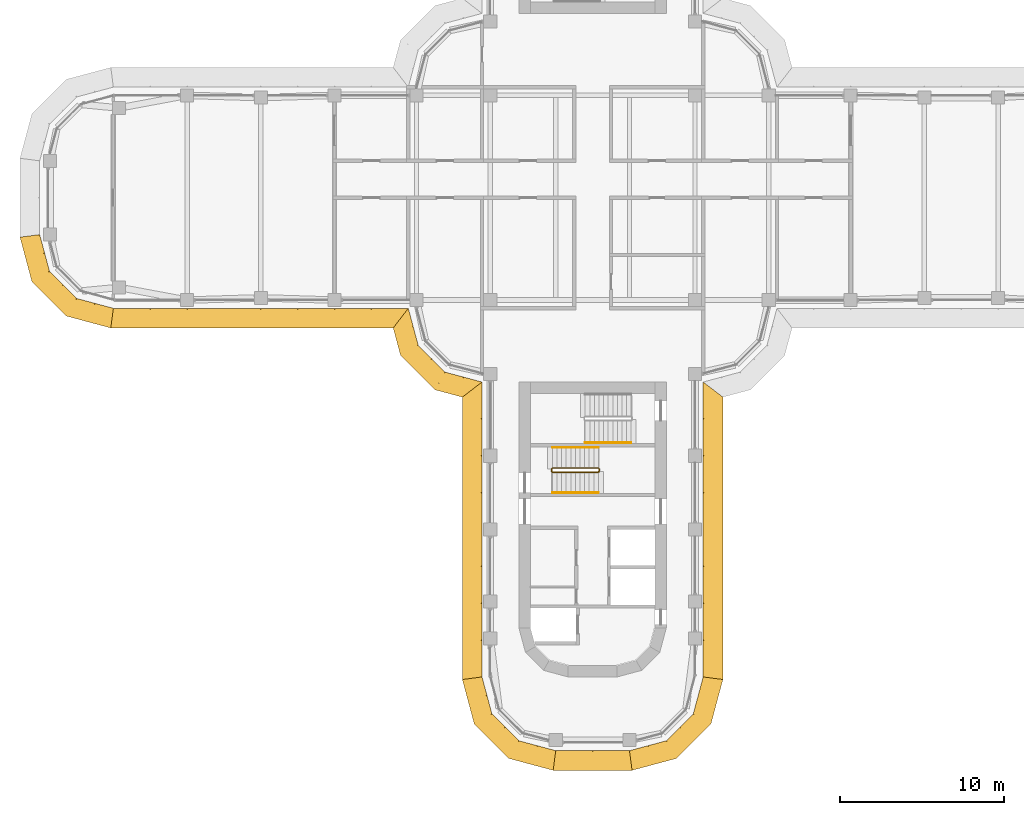
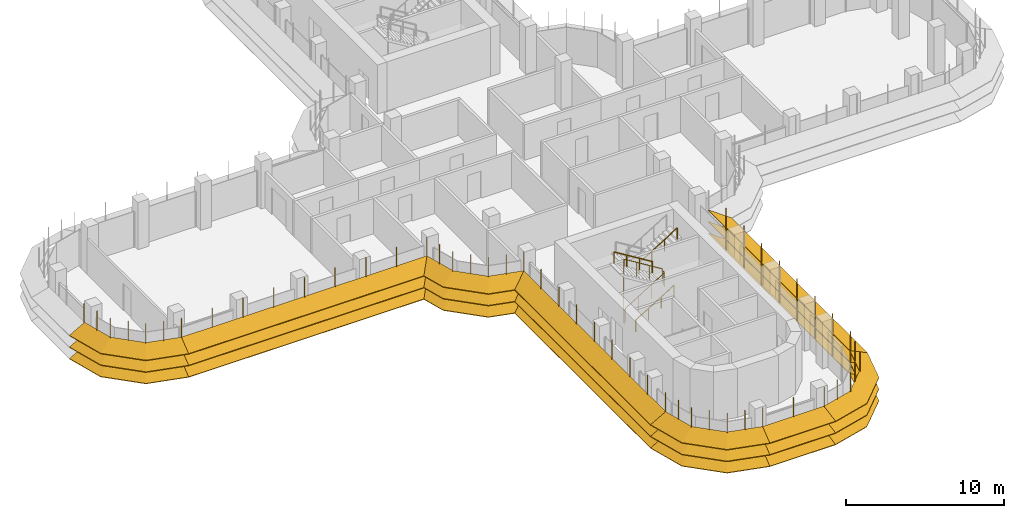
# One storey, part 17 of 20: 8 shading devices, 4 railings.
"""IFC4 building model written with IfcOpenShell, lengths in metres."""

from ifc_helpers import new_model, si_unit, direction, frame, origin, origin_2d, place, context, subcontext, project, spatial, polyline, circle, outline, extrude, faceted_brep, source, transform, mapped, material, type_object, element, save


model = new_model("IFC4")

# Units and contexts
model_context = context("Model", 3, precision=1e-05, world=origin(), true_north=direction((0.0, 1.0)))
body_context = subcontext(model_context, "Body", "Model", "MODEL_VIEW")
ifc_project = project(units=[si_unit("LENGTHUNIT", "METRE"), si_unit("AREAUNIT", "SQUARE_METRE"), si_unit("VOLUMEUNIT", "CUBIC_METRE"), si_unit("PLANEANGLEUNIT", "RADIAN"), si_unit("MASSUNIT", "GRAM", prefix="KILO")], contexts=[model_context])

# Site, building, storey
site_placement = place(None, origin())
site = spatial("IfcSite", under=ifc_project, at=site_placement, CompositionType="ELEMENT")
building_placement = place(site_placement, origin())
building = spatial("IfcBuilding", under=site, at=building_placement, Name="Zarbagh Exchange Tower", CompositionType="ELEMENT")
storey_placement = place(building_placement, frame((0.0, 0.0, 148.60009765625)))
storey = spatial("IfcBuildingStorey", under=building, at=storey_placement, Name="L35", CompositionType="ELEMENT", Elevation=148.60009765625)

# Railings
ifc_material_1 = material(Name="Stainless steel", Category="steel")
railing_type_1 = type_object("IfcRailingType", Name="Stair guard 1100 mm", PredefinedType="GUARDRAIL", material=ifc_material_1)
railing_1_placement = place(storey_placement, frame((0.35009765625, -16.5, 2.072509765625)))
element("IfcRailing", 1, at=railing_1_placement, inside=storey, type_object=railing_type_1, Name="ST3 stair guard 1", PredefinedType="GUARDRAIL", context=body_context, shape_type="SweptSolid", body=[
    extrude(circle(Radius=0.02392578125, at=origin_2d()), frame((0.0, 0.0, 1.076171875), z_axis=(-0.851089632645, 0.0, 0.525020415988), x_axis=(0.0, -1.0, 0.0)), (0.0, 0.0, 1.0), 3.2900390625),
    extrude(circle(Radius=0.02392578125, at=origin_2d()), frame((-2.800048828125, 0.0, 2.80322265625), z_axis=(-0.013169136761, -0.013169136761, -0.999826558796), x_axis=(0.707106781187, -0.707106781187, 0.0)), (0.0, 0.0, 1.0), 3.800537109375),
    extrude(circle(Radius=0.02392578125, at=origin_2d()), frame((-2.85009765625, -0.050048828125, -0.99658203125), z_axis=(0.0, -1.0, 0.0), x_axis=(1.0, 0.0, 0.0)), (0.0, 0.0, 1.0), 0.14990234375),
    extrude(circle(Radius=0.02392578125, at=origin_2d()), frame((-2.85009765625, -0.199951171875, -0.99658203125), z_axis=(0.268277960024, -0.268277960024, 0.925231793839), x_axis=(0.707106781187, 0.707106781187, 0.0)), (0.0, 0.0, 1.0), 0.1865234375),
    extrude(circle(Radius=0.02392578125, at=origin_2d()), frame((-2.800048828125, -0.25, -0.82373046875), z_axis=(0.851089632645, 0.0, 0.525020415988), x_axis=(0.0, 1.0, 0.0)), (0.0, 0.0, 1.0), 3.2900390625),
    extrude(circle(Radius=0.02392578125, at=origin_2d()), frame((0.0, -0.25, 0.9033203125), z_axis=(0.705375805398, 0.708833529934, 0.0), x_axis=(-0.708833529934, 0.705375805398, 0.0)), (0.0, 0.0, 1.0), 0.070556640625),
    extrude(circle(Radius=0.02392578125, at=origin_2d()), frame((0.0498046875, -0.199951171875, 0.9033203125), z_axis=(0.0, 1.0, 0.0), x_axis=(-1.0, 0.0, 0.0)), (0.0, 0.0, 1.0), 0.14990234375),
    extrude(circle(Radius=0.02099609375, at=origin_2d()), origin(), (0.0, 0.0, 1.0), 1.052001953125),
    extrude(circle(Radius=0.02099609375, at=origin_2d()), frame((-0.933349609375, 0.0, 0.57568359375)), (0.0, 0.0, 1.0), 1.052001953125),
    extrude(circle(Radius=0.02099609375, at=origin_2d()), frame((-1.86669921875, 0.0, 1.151611328125)), (0.0, 0.0, 1.0), 1.052001953125),
    extrude(circle(Radius=0.02099609375, at=origin_2d()), frame((-2.800048828125, 0.0, 1.727294921875)), (0.0, 0.0, 1.0), 1.052001953125),
    extrude(circle(Radius=0.02099609375, at=origin_2d()), frame((-2.8125, -0.012451171875, 0.77734375)), (0.0, 0.0, 1.0), 1.052001953125),
    extrude(circle(Radius=0.02099609375, at=origin_2d()), frame((-2.8251953125, -0.02490234375, -0.172607421875)), (0.0, 0.0, 1.0), 1.052001953125),
    extrude(circle(Radius=0.02099609375, at=origin_2d()), frame((-2.837646484375, -0.03759765625, -1.12255859375)), (0.0, 0.0, 1.0), 1.052001953125),
    extrude(circle(Radius=0.02099609375, at=origin_2d()), frame((-2.85009765625, -0.050048828125, -2.072509765625)), (0.0, 0.0, 1.0), 1.052001953125),
    extrude(circle(Radius=0.02099609375, at=origin_2d()), frame((-2.85009765625, -0.199951171875, -2.072509765625)), (0.0, 0.0, 1.0), 1.052001953125),
    extrude(circle(Radius=0.02099609375, at=origin_2d()), frame((-2.800048828125, -0.25, -1.89990234375)), (0.0, 0.0, 1.0), 1.052001953125),
    extrude(circle(Radius=0.02099609375, at=origin_2d()), frame((-1.86669921875, -0.25, -1.32421875)), (0.0, 0.0, 1.0), 1.052001953125),
    extrude(circle(Radius=0.02099609375, at=origin_2d()), frame((-0.933349609375, -0.25, -0.748291015625)), (0.0, 0.0, 1.0), 1.052001953125),
    extrude(circle(Radius=0.02099609375, at=origin_2d()), frame((0.0, -0.25, -0.172607421875)), (0.0, 0.0, 1.0), 1.052001953125),
    extrude(circle(Radius=0.02099609375, at=origin_2d()), frame((0.0498046875, -0.199951171875, -0.172607421875)), (0.0, 0.0, 1.0), 1.052001953125),
    extrude(circle(Radius=0.02099609375, at=origin_2d()), frame((0.0498046875, -0.050048828125, -0.172607421875)), (0.0, 0.0, 1.0), 1.052001953125),
])
railing_type_2 = type_object("IfcRailingType", Name="Stair handrail 900 mm", PredefinedType="HANDRAIL", material=ifc_material_1)
railing_2_placement = place(storey_placement, frame((-2.449951171875, -18.0, 0.172607421875)))
element("IfcRailing", 2, at=railing_2_placement, inside=storey, type_object=railing_type_2, Name="ST3 stair handrail 1", PredefinedType="HANDRAIL", context=body_context, shape_type="SweptSolid", body=[
    extrude(circle(Radius=0.02392578125, at=origin_2d()), frame((0.0, 0.0, 0.8759765625), z_axis=(0.851089632645, 0.0, 0.525020415988), x_axis=(0.0, 1.0, 0.0)), (0.0, 0.0, 1.0), 3.2900390625),
    extrude(circle(Radius=0.02099609375, at=origin_2d()), origin(), (0.0, 0.0, 1.0), 0.851806640625),
    extrude(circle(Radius=0.02099609375, at=origin_2d()), frame((0.933349609375, 0.0, 0.57568359375)), (0.0, 0.0, 1.0), 0.851806640625),
    extrude(circle(Radius=0.02099609375, at=origin_2d()), frame((1.86669921875, 0.0, 1.151611328125)), (0.0, 0.0, 1.0), 0.851806640625),
    extrude(circle(Radius=0.02099609375, at=origin_2d()), frame((2.800048828125, 0.0, 1.727294921875)), (0.0, 0.0, 1.0), 0.851806640625),
])
railing_3_placement = place(storey_placement, frame((0.35009765625, -15.25, 2.072509765625)))
element("IfcRailing", 3, at=railing_3_placement, inside=storey, type_object=railing_type_2, Name="ST3 stair handrail 2", PredefinedType="HANDRAIL", context=body_context, shape_type="SweptSolid", body=[
    extrude(circle(Radius=0.02392578125, at=origin_2d()), frame((0.0, 0.0, 0.8759765625), z_axis=(-0.851089632645, 0.0, 0.525020415988), x_axis=(0.0, -1.0, 0.0)), (0.0, 0.0, 1.0), 3.2900390625),
    extrude(circle(Radius=0.02099609375, at=origin_2d()), origin(), (0.0, 0.0, 1.0), 0.851806640625),
    extrude(circle(Radius=0.02099609375, at=origin_2d()), frame((-0.933349609375, 0.0, 0.57568359375)), (0.0, 0.0, 1.0), 0.851806640625),
    extrude(circle(Radius=0.02099609375, at=origin_2d()), frame((-1.86669921875, 0.0, 1.151611328125)), (0.0, 0.0, 1.0), 0.851806640625),
    extrude(circle(Radius=0.02099609375, at=origin_2d()), frame((-2.800048828125, 0.0, 1.727294921875)), (0.0, 0.0, 1.0), 0.851806640625),
])
railing_4_placement = place(storey_placement, frame((-0.449951171875, -14.949951171875, 2.072509765625)))
element("IfcRailing", 4, at=railing_4_placement, inside=storey, type_object=railing_type_2, Name="ST4 stair handrail 2", PredefinedType="HANDRAIL", context=body_context, shape_type="SweptSolid", body=[
    extrude(circle(Radius=0.02392578125, at=origin_2d()), frame((0.0, 0.0, 0.8759765625), z_axis=(0.851089632645, 0.0, 0.525020415988), x_axis=(0.0, 1.0, 0.0)), (0.0, 0.0, 1.0), 3.2900390625),
    extrude(circle(Radius=0.02099609375, at=origin_2d()), origin(), (0.0, 0.0, 1.0), 0.851806640625),
    extrude(circle(Radius=0.02099609375, at=origin_2d()), frame((0.933349609375, 0.0, 0.57568359375)), (0.0, 0.0, 1.0), 0.851806640625),
    extrude(circle(Radius=0.02099609375, at=origin_2d()), frame((1.86669921875, 0.0, 1.151611328125)), (0.0, 0.0, 1.0), 0.851806640625),
    extrude(circle(Radius=0.02099609375, at=origin_2d()), frame((2.800048828125, 0.0, 1.727294921875)), (0.0, 0.0, 1.0), 0.851806640625),
])

# Shading devices
ifc_material_2 = material(Name="Anodised aluminium blades and brackets", Category="aluminium")
shading_device_type = type_object("IfcShadingDeviceType", Name="SUNSHADE louvre band, 22.5 degree blades", PredefinedType="JALOUSIE", material=ifc_material_2)
shared_shape_1 = source(origin(), body_context, "Body", "Brep", [
    faceted_brep([(0.0, 0.0, 0.0), (0.0, 0.0, -0.043212890625), (-0.157958984375, -1.199951171875, -0.540283203125), (-0.157958984375, -1.199951171875, -0.4970703125), (2.65087890625, -1.199951171875, -0.4970703125), (2.65087890625, -1.199951171875, -0.540283203125), (2.329345703125, 0.0, -0.043212890625), (2.329345703125, 0.0, 0.0)], [[[0, 1, 2, 3]], [[4, 5, 6, 7]], [[0, 7, 6, 1]], [[1, 6, 5, 2]], [[2, 5, 4, 3]], [[3, 4, 7, 0]]]),
])
shared_shape_2 = source(origin(), body_context, "Body", "Brep", [
    faceted_brep([(0.0, 0.0, 0.0), (0.0, 0.0, -0.043212890625), (-0.321533203125, -1.199951171875, -0.540283203125), (-0.321533203125, -1.199951171875, -0.4970703125), (2.65087890625, -1.199951171875, -0.4970703125), (2.65087890625, -1.199951171875, -0.540283203125), (2.329345703125, 0.0, -0.043212890625), (2.329345703125, 0.0, 0.0)], [[[0, 1, 2, 3]], [[4, 5, 6, 7]], [[0, 7, 6, 1]], [[1, 6, 5, 2]], [[2, 5, 4, 3]], [[3, 4, 7, 0]]]),
])
shared_shape_3 = source(origin(), body_context, "Body", "Brep", [
    faceted_brep([(0.0, 0.0, 0.0), (0.0, 0.0, -0.043212890625), (-0.321533203125, -1.199951171875, -0.540283203125), (-0.321533203125, -1.199951171875, -0.4970703125), (2.4873046875, -1.199951171875, -0.4970703125), (2.4873046875, -1.199951171875, -0.540283203125), (2.329345703125, 0.0, -0.043212890625), (2.329345703125, 0.0, 0.0)], [[[0, 1, 2, 3]], [[4, 5, 6, 7]], [[0, 7, 6, 1]], [[1, 6, 5, 2]], [[2, 5, 4, 3]], [[3, 4, 7, 0]]]),
])
shared_shape_4 = source(origin(), body_context, "Body", "SweptSolid", [
    extrude(outline(polyline([(0.0, -0.012451171875), (0.06005859375, -0.012451171875), (0.06005859375, 0.012451171875), (0.0, 0.012451171875), (0.0, -0.012451171875)])), origin(), (0.0, 0.0, 1.0), 3.353271484375),
])
placement = place(storey_placement, origin())
element("IfcShadingDevice", 5, at=placement, inside=storey, type_object=shading_device_type, Name="SS01 sunshade band", PredefinedType="JALOUSIE", context=body_context, shape_type="MappedRepresentation", body=[
    mapped(shared_shape_1, transform((2.25, -33.75, 2.2998046875), x_axis=(0.965924289636, 0.258824779902, 0.0), y_axis=(-0.258824779902, 0.965924289636, 0.0), z_axis=(0.0, 0.0, 1.0))),
    mapped(shared_shape_1, transform((2.25, -33.75, 1.39990234375), x_axis=(0.965924289636, 0.258824779902, 0.0), y_axis=(-0.258824779902, 0.965924289636, 0.0), z_axis=(0.0, 0.0, 1.0))),
    mapped(shared_shape_1, transform((2.25, -33.75, 0.5), x_axis=(0.965924289636, 0.258824779902, 0.0), y_axis=(-0.258824779902, 0.965924289636, 0.0), z_axis=(0.0, 0.0, 1.0))),
    mapped(shared_shape_2, transform((4.5, -33.147216796875, 2.2998046875), x_axis=(0.707106781187, 0.707106781187, 0.0), y_axis=(-0.707106781187, 0.707106781187, 0.0), z_axis=(0.0, 0.0, 1.0))),
    mapped(shared_shape_2, transform((4.5, -33.147216796875, 1.39990234375), x_axis=(0.707106781187, 0.707106781187, 0.0), y_axis=(-0.707106781187, 0.707106781187, 0.0), z_axis=(0.0, 0.0, 1.0))),
    mapped(shared_shape_2, transform((4.5, -33.147216796875, 0.5), x_axis=(0.707106781187, 0.707106781187, 0.0), y_axis=(-0.707106781187, 0.707106781187, 0.0), z_axis=(0.0, 0.0, 1.0))),
    mapped(shared_shape_3, transform((6.147216796875, -31.5, 2.2998046875), x_axis=(0.258824779902, 0.965924289636, 0.0), y_axis=(-0.965924289636, 0.258824779902, 0.0), z_axis=(0.0, 0.0, 1.0))),
    mapped(shared_shape_3, transform((6.147216796875, -31.5, 1.39990234375), x_axis=(0.258824779902, 0.965924289636, 0.0), y_axis=(-0.965924289636, 0.258824779902, 0.0), z_axis=(0.0, 0.0, 1.0))),
    mapped(shared_shape_3, transform((6.147216796875, -31.5, 0.5), x_axis=(0.258824779902, 0.965924289636, 0.0), y_axis=(-0.965924289636, 0.258824779902, 0.0), z_axis=(0.0, 0.0, 1.0))),
    mapped(shared_shape_4, transform((2.25, -33.75, 0.426513671875), x_axis=(0.130529263012, -0.991444457092, 0.0), y_axis=(0.991444457092, 0.130529263012, 0.0), z_axis=(0.0, 0.0, 1.0))),
    mapped(shared_shape_4, transform((3.375, -33.448486328125, 0.426513671875), x_axis=(0.258825058029, -0.96592421511, 0.0), y_axis=(0.96592421511, 0.258825058029, 0.0), z_axis=(0.0, 0.0, 1.0))),
    mapped(shared_shape_4, transform((4.5, -33.147216796875, 0.426513671875), x_axis=(0.50000275701, -0.866023812018, 0.0), y_axis=(0.866023812018, 0.50000275701, 0.0), z_axis=(0.0, 0.0, 1.0))),
    mapped(shared_shape_4, transform((5.323486328125, -32.323486328125, 0.426513671875), x_axis=(0.707106781187, -0.707106781187, 0.0), y_axis=(0.707106781187, 0.707106781187, 0.0), z_axis=(0.0, 0.0, 1.0))),
    mapped(shared_shape_4, transform((6.147216796875, -31.5, 0.426513671875), x_axis=(0.866023812018, -0.50000275701, 0.0), y_axis=(0.50000275701, 0.866023812018, 0.0), z_axis=(0.0, 0.0, 1.0))),
    mapped(shared_shape_4, transform((6.448486328125, -30.375, 0.426513671875), x_axis=(0.96592421511, -0.258825058029, 0.0), y_axis=(0.258825058029, 0.96592421511, 0.0), z_axis=(0.0, 0.0, 1.0))),
])
element("IfcShadingDevice", 6, at=placement, inside=storey, type_object=shading_device_type, Name="SS19 sunshade band", PredefinedType="JALOUSIE", context=body_context, shape_type="MappedRepresentation", body=[
    mapped(shared_shape_1, transform((-33.75, -2.25, 2.2998046875), x_axis=(0.258824779902, -0.965924289636, 0.0), y_axis=(0.965924289636, 0.258824779902, 0.0), z_axis=(0.0, 0.0, 1.0))),
    mapped(shared_shape_1, transform((-33.75, -2.25, 1.39990234375), x_axis=(0.258824779902, -0.965924289636, 0.0), y_axis=(0.965924289636, 0.258824779902, 0.0), z_axis=(0.0, 0.0, 1.0))),
    mapped(shared_shape_1, transform((-33.75, -2.25, 0.5), x_axis=(0.258824779902, -0.965924289636, 0.0), y_axis=(0.965924289636, 0.258824779902, 0.0), z_axis=(0.0, 0.0, 1.0))),
    mapped(shared_shape_2, transform((-33.147216796875, -4.5, 2.2998046875), x_axis=(0.707106781187, -0.707106781187, 0.0), y_axis=(0.707106781187, 0.707106781187, 0.0), z_axis=(0.0, 0.0, 1.0))),
    mapped(shared_shape_2, transform((-33.147216796875, -4.5, 1.39990234375), x_axis=(0.707106781187, -0.707106781187, 0.0), y_axis=(0.707106781187, 0.707106781187, 0.0), z_axis=(0.0, 0.0, 1.0))),
    mapped(shared_shape_2, transform((-33.147216796875, -4.5, 0.5), x_axis=(0.707106781187, -0.707106781187, 0.0), y_axis=(0.707106781187, 0.707106781187, 0.0), z_axis=(0.0, 0.0, 1.0))),
    mapped(shared_shape_3, transform((-31.5, -6.147216796875, 2.2998046875), x_axis=(0.965924289636, -0.258824779902, 0.0), y_axis=(0.258824779902, 0.965924289636, 0.0), z_axis=(0.0, 0.0, 1.0))),
    mapped(shared_shape_3, transform((-31.5, -6.147216796875, 1.39990234375), x_axis=(0.965924289636, -0.258824779902, 0.0), y_axis=(0.258824779902, 0.965924289636, 0.0), z_axis=(0.0, 0.0, 1.0))),
    mapped(shared_shape_3, transform((-31.5, -6.147216796875, 0.5), x_axis=(0.965924289636, -0.258824779902, 0.0), y_axis=(0.258824779902, 0.965924289636, 0.0), z_axis=(0.0, 0.0, 1.0))),
    mapped(shared_shape_4, transform((-33.75, -2.25, 0.426513671875), x_axis=(-0.991444457092, -0.130529263012, 0.0), y_axis=(0.130529263012, -0.991444457092, 0.0), z_axis=(0.0, 0.0, 1.0))),
    mapped(shared_shape_4, transform((-33.448486328125, -3.375, 0.426513671875), x_axis=(-0.96592421511, -0.258825058029, 0.0), y_axis=(0.258825058029, -0.96592421511, 0.0), z_axis=(0.0, 0.0, 1.0))),
    mapped(shared_shape_4, transform((-33.147216796875, -4.5, 0.426513671875), x_axis=(-0.866023812018, -0.50000275701, 0.0), y_axis=(0.50000275701, -0.866023812018, 0.0), z_axis=(0.0, 0.0, 1.0))),
    mapped(shared_shape_4, transform((-32.323486328125, -5.323486328125, 0.426513671875), x_axis=(-0.707106781187, -0.707106781187, 0.0), y_axis=(0.707106781187, -0.707106781187, 0.0), z_axis=(0.0, 0.0, 1.0))),
    mapped(shared_shape_4, transform((-31.5, -6.147216796875, 0.426513671875), x_axis=(-0.50000275701, -0.866023812018, 0.0), y_axis=(0.866023812018, -0.50000275701, 0.0), z_axis=(0.0, 0.0, 1.0))),
    mapped(shared_shape_4, transform((-30.375, -6.448486328125, 0.426513671875), x_axis=(-0.258825058029, -0.96592421511, 0.0), y_axis=(0.96592421511, -0.258825058029, 0.0), z_axis=(0.0, 0.0, 1.0))),
])
element("IfcShadingDevice", 7, at=placement, inside=storey, type_object=shading_device_type, Name="SS23 sunshade band", PredefinedType="JALOUSIE", context=body_context, shape_type="MappedRepresentation", body=[
    mapped(shared_shape_1, transform((-6.75, -29.25, 2.2998046875), x_axis=(0.258824779902, -0.965924289636, 0.0), y_axis=(0.965924289636, 0.258824779902, 0.0), z_axis=(0.0, 0.0, 1.0))),
    mapped(shared_shape_1, transform((-6.75, -29.25, 1.39990234375), x_axis=(0.258824779902, -0.965924289636, 0.0), y_axis=(0.965924289636, 0.258824779902, 0.0), z_axis=(0.0, 0.0, 1.0))),
    mapped(shared_shape_1, transform((-6.75, -29.25, 0.5), x_axis=(0.258824779902, -0.965924289636, 0.0), y_axis=(0.965924289636, 0.258824779902, 0.0), z_axis=(0.0, 0.0, 1.0))),
    mapped(shared_shape_2, transform((-6.147216796875, -31.5, 2.2998046875), x_axis=(0.707106781187, -0.707106781187, 0.0), y_axis=(0.707106781187, 0.707106781187, 0.0), z_axis=(0.0, 0.0, 1.0))),
    mapped(shared_shape_2, transform((-6.147216796875, -31.5, 1.39990234375), x_axis=(0.707106781187, -0.707106781187, 0.0), y_axis=(0.707106781187, 0.707106781187, 0.0), z_axis=(0.0, 0.0, 1.0))),
    mapped(shared_shape_2, transform((-6.147216796875, -31.5, 0.5), x_axis=(0.707106781187, -0.707106781187, 0.0), y_axis=(0.707106781187, 0.707106781187, 0.0), z_axis=(0.0, 0.0, 1.0))),
    mapped(shared_shape_3, transform((-4.5, -33.147216796875, 2.2998046875), x_axis=(0.965924289636, -0.258824779902, 0.0), y_axis=(0.258824779902, 0.965924289636, 0.0), z_axis=(0.0, 0.0, 1.0))),
    mapped(shared_shape_3, transform((-4.5, -33.147216796875, 1.39990234375), x_axis=(0.965924289636, -0.258824779902, 0.0), y_axis=(0.258824779902, 0.965924289636, 0.0), z_axis=(0.0, 0.0, 1.0))),
    mapped(shared_shape_3, transform((-4.5, -33.147216796875, 0.5), x_axis=(0.965924289636, -0.258824779902, 0.0), y_axis=(0.258824779902, 0.965924289636, 0.0), z_axis=(0.0, 0.0, 1.0))),
    mapped(shared_shape_4, transform((-6.75, -29.25, 0.426513671875), x_axis=(-0.991444457092, -0.130529263012, 0.0), y_axis=(0.130529263012, -0.991444457092, 0.0), z_axis=(0.0, 0.0, 1.0))),
    mapped(shared_shape_4, transform((-6.448486328125, -30.375, 0.426513671875), x_axis=(-0.96592421511, -0.258825058029, 0.0), y_axis=(0.258825058029, -0.96592421511, 0.0), z_axis=(0.0, 0.0, 1.0))),
    mapped(shared_shape_4, transform((-6.147216796875, -31.5, 0.426513671875), x_axis=(-0.866023812018, -0.50000275701, 0.0), y_axis=(0.50000275701, -0.866023812018, 0.0), z_axis=(0.0, 0.0, 1.0))),
    mapped(shared_shape_4, transform((-5.323486328125, -32.323486328125, 0.426513671875), x_axis=(-0.707106781187, -0.707106781187, 0.0), y_axis=(0.707106781187, -0.707106781187, 0.0), z_axis=(0.0, 0.0, 1.0))),
    mapped(shared_shape_4, transform((-4.5, -33.147216796875, 0.426513671875), x_axis=(-0.50000275701, -0.866023812018, 0.0), y_axis=(0.866023812018, -0.50000275701, 0.0), z_axis=(0.0, 0.0, 1.0))),
    mapped(shared_shape_4, transform((-3.375, -33.448486328125, 0.426513671875), x_axis=(-0.258825058029, -0.96592421511, 0.0), y_axis=(0.96592421511, -0.258825058029, 0.0), z_axis=(0.0, 0.0, 1.0))),
])
shared_shape_5 = source(origin(), body_context, "Body", "Brep", [
    faceted_brep([(0.0, 0.0, 0.0), (0.0, 0.0, -0.043212890625), (0.9208984375, -1.199951171875, -0.540283203125), (0.9208984375, -1.199951171875, -0.4970703125), (2.65087890625, -1.199951171875, -0.4970703125), (2.65087890625, -1.199951171875, -0.540283203125), (2.329345703125, 0.0, -0.043212890625), (2.329345703125, 0.0, 0.0)], [[[0, 1, 2, 3]], [[4, 5, 6, 7]], [[0, 7, 6, 1]], [[1, 6, 5, 2]], [[2, 5, 4, 3]], [[3, 4, 7, 0]]]),
])
shared_shape_6 = source(origin(), body_context, "Body", "Brep", [
    faceted_brep([(0.0, 0.0, 0.0), (0.0, 0.0, -0.043212890625), (-0.321533203125, -1.199951171875, -0.540283203125), (-0.321533203125, -1.199951171875, -0.4970703125), (1.40869140625, -1.199951171875, -0.4970703125), (1.40869140625, -1.199951171875, -0.540283203125), (2.329345703125, 0.0, -0.043212890625), (2.329345703125, 0.0, 0.0)], [[[0, 1, 2, 3]], [[4, 5, 6, 7]], [[0, 7, 6, 1]], [[1, 6, 5, 2]], [[2, 5, 4, 3]], [[3, 4, 7, 0]]]),
])
element("IfcShadingDevice", 8, at=placement, inside=storey, type_object=shading_device_type, Name="SS21 sunshade band", PredefinedType="JALOUSIE", context=body_context, shape_type="MappedRepresentation", body=[
    mapped(shared_shape_5, transform((-11.25, -6.75, 2.2998046875), x_axis=(0.258824779902, -0.965924289636, 0.0), y_axis=(0.965924289636, 0.258824779902, 0.0), z_axis=(0.0, 0.0, 1.0))),
    mapped(shared_shape_5, transform((-11.25, -6.75, 1.39990234375), x_axis=(0.258824779902, -0.965924289636, 0.0), y_axis=(0.965924289636, 0.258824779902, 0.0), z_axis=(0.0, 0.0, 1.0))),
    mapped(shared_shape_5, transform((-11.25, -6.75, 0.5), x_axis=(0.258824779902, -0.965924289636, 0.0), y_axis=(0.965924289636, 0.258824779902, 0.0), z_axis=(0.0, 0.0, 1.0))),
    mapped(shared_shape_2, transform((-10.647216796875, -9.0, 2.2998046875), x_axis=(0.707106781187, -0.707106781187, 0.0), y_axis=(0.707106781187, 0.707106781187, 0.0), z_axis=(0.0, 0.0, 1.0))),
    mapped(shared_shape_2, transform((-10.647216796875, -9.0, 1.39990234375), x_axis=(0.707106781187, -0.707106781187, 0.0), y_axis=(0.707106781187, 0.707106781187, 0.0), z_axis=(0.0, 0.0, 1.0))),
    mapped(shared_shape_2, transform((-10.647216796875, -9.0, 0.5), x_axis=(0.707106781187, -0.707106781187, 0.0), y_axis=(0.707106781187, 0.707106781187, 0.0), z_axis=(0.0, 0.0, 1.0))),
    mapped(shared_shape_6, transform((-9.0, -10.647216796875, 2.2998046875), x_axis=(0.965924289636, -0.258824779902, 0.0), y_axis=(0.258824779902, 0.965924289636, 0.0), z_axis=(0.0, 0.0, 1.0))),
    mapped(shared_shape_6, transform((-9.0, -10.647216796875, 1.39990234375), x_axis=(0.965924289636, -0.258824779902, 0.0), y_axis=(0.258824779902, 0.965924289636, 0.0), z_axis=(0.0, 0.0, 1.0))),
    mapped(shared_shape_6, transform((-9.0, -10.647216796875, 0.5), x_axis=(0.965924289636, -0.258824779902, 0.0), y_axis=(0.258824779902, 0.965924289636, 0.0), z_axis=(0.0, 0.0, 1.0))),
    mapped(shared_shape_4, transform((-11.25, -6.75, 0.426513671875), x_axis=(-0.608758892, -0.793355287, 0.0), y_axis=(0.793355287, -0.608758892, 0.0), z_axis=(0.0, 0.0, 1.0))),
    mapped(shared_shape_4, transform((-10.948486328125, -7.875, 0.426513671875), x_axis=(-0.96592421511, -0.258825058029, 0.0), y_axis=(0.258825058029, -0.96592421511, 0.0), z_axis=(0.0, 0.0, 1.0))),
    mapped(shared_shape_4, transform((-10.647216796875, -9.0, 0.426513671875), x_axis=(-0.866023812018, -0.50000275701, 0.0), y_axis=(0.50000275701, -0.866023812018, 0.0), z_axis=(0.0, 0.0, 1.0))),
    mapped(shared_shape_4, transform((-9.823486328125, -9.823486328125, 0.426513671875), x_axis=(-0.707106781187, -0.707106781187, 0.0), y_axis=(0.707106781187, -0.707106781187, 0.0), z_axis=(0.0, 0.0, 1.0))),
    mapped(shared_shape_4, transform((-9.0, -10.647216796875, 0.426513671875), x_axis=(-0.50000275701, -0.866023812018, 0.0), y_axis=(0.866023812018, -0.50000275701, 0.0), z_axis=(0.0, 0.0, 1.0))),
    mapped(shared_shape_4, transform((-7.875, -10.948486328125, 0.426513671875), x_axis=(-0.258825058029, -0.96592421511, 0.0), y_axis=(0.96592421511, -0.258825058029, 0.0), z_axis=(0.0, 0.0, 1.0))),
])
shared_shape_7 = source(origin(), body_context, "Body", "Brep", [
    faceted_brep([(0.0, 0.0, 0.0), (0.0, 0.0, -0.043212890625), (-0.157958984375, -1.199951171875, -0.540283203125), (-0.157958984375, -1.199951171875, -0.4970703125), (17.0791015625, -1.199951171875, -0.4970703125), (17.0791015625, -1.199951171875, -0.540283203125), (18.0, 0.0, -0.043212890625), (18.0, 0.0, 0.0)], [[[0, 1, 2, 3]], [[4, 5, 6, 7]], [[0, 7, 6, 1]], [[1, 6, 5, 2]], [[2, 5, 4, 3]], [[3, 4, 7, 0]]]),
])
element("IfcShadingDevice", 9, at=placement, inside=storey, type_object=shading_device_type, Name="SS02 sunshade band", PredefinedType="JALOUSIE", context=body_context, shape_type="MappedRepresentation", body=[
    mapped(shared_shape_7, transform((6.75, -29.25, 2.2998046875), x_axis=(0.0, 1.0, 0.0), y_axis=(-1.0, 0.0, 0.0), z_axis=(0.0, 0.0, 1.0))),
    mapped(shared_shape_7, transform((6.75, -29.25, 1.39990234375), x_axis=(0.0, 1.0, 0.0), y_axis=(-1.0, 0.0, 0.0), z_axis=(0.0, 0.0, 1.0))),
    mapped(shared_shape_7, transform((6.75, -29.25, 0.5), x_axis=(0.0, 1.0, 0.0), y_axis=(-1.0, 0.0, 0.0), z_axis=(0.0, 0.0, 1.0))),
    mapped(shared_shape_4, transform((6.75, -29.25, 0.426513671875), x_axis=(0.991444457092, -0.130529263012, 0.0), y_axis=(0.130529263012, 0.991444457092, 0.0), z_axis=(0.0, 0.0, 1.0))),
    mapped(shared_shape_4, transform((6.75, -27.0, 0.426513671875), x_axis=(1.0, 0.0, 0.0), y_axis=(0.0, 1.0, 0.0), z_axis=(0.0, 0.0, 1.0))),
    mapped(shared_shape_4, transform((6.75, -24.75, 0.426513671875), x_axis=(1.0, 0.0, 0.0), y_axis=(0.0, 1.0, 0.0), z_axis=(0.0, 0.0, 1.0))),
    mapped(shared_shape_4, transform((6.75, -22.5, 0.426513671875), x_axis=(1.0, 0.0, 0.0), y_axis=(0.0, 1.0, 0.0), z_axis=(0.0, 0.0, 1.0))),
    mapped(shared_shape_4, transform((6.75, -20.25, 0.426513671875), x_axis=(1.0, 0.0, 0.0), y_axis=(0.0, 1.0, 0.0), z_axis=(0.0, 0.0, 1.0))),
    mapped(shared_shape_4, transform((6.75, -18.0, 0.426513671875), x_axis=(1.0, 0.0, 0.0), y_axis=(0.0, 1.0, 0.0), z_axis=(0.0, 0.0, 1.0))),
    mapped(shared_shape_4, transform((6.75, -15.75, 0.426513671875), x_axis=(1.0, 0.0, 0.0), y_axis=(0.0, 1.0, 0.0), z_axis=(0.0, 0.0, 1.0))),
    mapped(shared_shape_4, transform((6.75, -13.5, 0.426513671875), x_axis=(1.0, 0.0, 0.0), y_axis=(0.0, 1.0, 0.0), z_axis=(0.0, 0.0, 1.0))),
])
element("IfcShadingDevice", 10, at=placement, inside=storey, type_object=shading_device_type, Name="SS20 sunshade band", PredefinedType="JALOUSIE", context=body_context, shape_type="MappedRepresentation", body=[
    mapped(shared_shape_7, transform((-29.25, -6.75, 2.2998046875), x_axis=(1.0, 0.0, 0.0), y_axis=(0.0, 1.0, 0.0), z_axis=(0.0, 0.0, 1.0))),
    mapped(shared_shape_7, transform((-29.25, -6.75, 1.39990234375), x_axis=(1.0, 0.0, 0.0), y_axis=(0.0, 1.0, 0.0), z_axis=(0.0, 0.0, 1.0))),
    mapped(shared_shape_7, transform((-29.25, -6.75, 0.5), x_axis=(1.0, 0.0, 0.0), y_axis=(0.0, 1.0, 0.0), z_axis=(0.0, 0.0, 1.0))),
    mapped(shared_shape_4, transform((-29.25, -6.75, 0.426513671875), x_axis=(-0.130529263012, -0.991444457092, 0.0), y_axis=(0.991444457092, -0.130529263012, 0.0), z_axis=(0.0, 0.0, 1.0))),
    mapped(shared_shape_4, transform((-27.0, -6.75, 0.426513671875), x_axis=(0.0, -1.0, 0.0), y_axis=(1.0, 0.0, 0.0), z_axis=(0.0, 0.0, 1.0))),
    mapped(shared_shape_4, transform((-24.75, -6.75, 0.426513671875), x_axis=(0.0, -1.0, 0.0), y_axis=(1.0, 0.0, 0.0), z_axis=(0.0, 0.0, 1.0))),
    mapped(shared_shape_4, transform((-22.5, -6.75, 0.426513671875), x_axis=(0.0, -1.0, 0.0), y_axis=(1.0, 0.0, 0.0), z_axis=(0.0, 0.0, 1.0))),
    mapped(shared_shape_4, transform((-20.25, -6.75, 0.426513671875), x_axis=(0.0, -1.0, 0.0), y_axis=(1.0, 0.0, 0.0), z_axis=(0.0, 0.0, 1.0))),
    mapped(shared_shape_4, transform((-18.0, -6.75, 0.426513671875), x_axis=(0.0, -1.0, 0.0), y_axis=(1.0, 0.0, 0.0), z_axis=(0.0, 0.0, 1.0))),
    mapped(shared_shape_4, transform((-15.75, -6.75, 0.426513671875), x_axis=(0.0, -1.0, 0.0), y_axis=(1.0, 0.0, 0.0), z_axis=(0.0, 0.0, 1.0))),
    mapped(shared_shape_4, transform((-13.5, -6.75, 0.426513671875), x_axis=(0.0, -1.0, 0.0), y_axis=(1.0, 0.0, 0.0), z_axis=(0.0, 0.0, 1.0))),
])
shared_shape_8 = source(origin(), body_context, "Body", "Brep", [
    faceted_brep([(0.0, 0.0, 0.0), (0.0, 0.0, -0.043212890625), (0.9208984375, -1.199951171875, -0.540283203125), (0.9208984375, -1.199951171875, -0.4970703125), (18.157958984375, -1.199951171875, -0.4970703125), (18.157958984375, -1.199951171875, -0.540283203125), (18.0, 0.0, -0.043212890625), (18.0, 0.0, 0.0)], [[[0, 1, 2, 3]], [[4, 5, 6, 7]], [[0, 7, 6, 1]], [[1, 6, 5, 2]], [[2, 5, 4, 3]], [[3, 4, 7, 0]]]),
])
element("IfcShadingDevice", 11, at=placement, inside=storey, type_object=shading_device_type, Name="SS22 sunshade band", PredefinedType="JALOUSIE", context=body_context, shape_type="MappedRepresentation", body=[
    mapped(shared_shape_8, transform((-6.75, -11.25, 2.2998046875), x_axis=(0.0, -1.0, 0.0), y_axis=(1.0, 0.0, 0.0), z_axis=(0.0, 0.0, 1.0))),
    mapped(shared_shape_8, transform((-6.75, -11.25, 1.39990234375), x_axis=(0.0, -1.0, 0.0), y_axis=(1.0, 0.0, 0.0), z_axis=(0.0, 0.0, 1.0))),
    mapped(shared_shape_8, transform((-6.75, -11.25, 0.5), x_axis=(0.0, -1.0, 0.0), y_axis=(1.0, 0.0, 0.0), z_axis=(0.0, 0.0, 1.0))),
    mapped(shared_shape_4, transform((-6.75, -11.25, 0.426513671875), x_axis=(-0.793355287, -0.608758892, 0.0), y_axis=(0.608758892, -0.793355287, 0.0), z_axis=(0.0, 0.0, 1.0))),
    mapped(shared_shape_4, transform((-6.75, -13.5, 0.426513671875), x_axis=(-1.0, 0.0, 0.0), y_axis=(0.0, -1.0, 0.0), z_axis=(0.0, 0.0, 1.0))),
    mapped(shared_shape_4, transform((-6.75, -15.75, 0.426513671875), x_axis=(-1.0, 0.0, 0.0), y_axis=(0.0, -1.0, 0.0), z_axis=(0.0, 0.0, 1.0))),
    mapped(shared_shape_4, transform((-6.75, -18.0, 0.426513671875), x_axis=(-1.0, 0.0, 0.0), y_axis=(0.0, -1.0, 0.0), z_axis=(0.0, 0.0, 1.0))),
    mapped(shared_shape_4, transform((-6.75, -20.25, 0.426513671875), x_axis=(-1.0, 0.0, 0.0), y_axis=(0.0, -1.0, 0.0), z_axis=(0.0, 0.0, 1.0))),
    mapped(shared_shape_4, transform((-6.75, -22.5, 0.426513671875), x_axis=(-1.0, 0.0, 0.0), y_axis=(0.0, -1.0, 0.0), z_axis=(0.0, 0.0, 1.0))),
    mapped(shared_shape_4, transform((-6.75, -24.75, 0.426513671875), x_axis=(-1.0, 0.0, 0.0), y_axis=(0.0, -1.0, 0.0), z_axis=(0.0, 0.0, 1.0))),
    mapped(shared_shape_4, transform((-6.75, -27.0, 0.426513671875), x_axis=(-1.0, 0.0, 0.0), y_axis=(0.0, -1.0, 0.0), z_axis=(0.0, 0.0, 1.0))),
])
shared_shape_9 = source(origin(), body_context, "Body", "Brep", [
    faceted_brep([(0.0, 0.0, 0.0), (0.0, 0.0, -0.043212890625), (-0.157958984375, -1.199951171875, -0.540283203125), (-0.157958984375, -1.199951171875, -0.4970703125), (4.657958984375, -1.199951171875, -0.4970703125), (4.657958984375, -1.199951171875, -0.540283203125), (4.5, 0.0, -0.043212890625), (4.5, 0.0, 0.0)], [[[0, 1, 2, 3]], [[4, 5, 6, 7]], [[0, 7, 6, 1]], [[1, 6, 5, 2]], [[2, 5, 4, 3]], [[3, 4, 7, 0]]]),
])
element("IfcShadingDevice", 12, at=placement, inside=storey, type_object=shading_device_type, Name="SS24 sunshade band", PredefinedType="JALOUSIE", context=body_context, shape_type="MappedRepresentation", body=[
    mapped(shared_shape_9, transform((-2.25, -33.75, 2.2998046875), x_axis=(1.0, 0.0, 0.0), y_axis=(0.0, 1.0, 0.0), z_axis=(0.0, 0.0, 1.0))),
    mapped(shared_shape_9, transform((-2.25, -33.75, 1.39990234375), x_axis=(1.0, 0.0, 0.0), y_axis=(0.0, 1.0, 0.0), z_axis=(0.0, 0.0, 1.0))),
    mapped(shared_shape_9, transform((-2.25, -33.75, 0.5), x_axis=(1.0, 0.0, 0.0), y_axis=(0.0, 1.0, 0.0), z_axis=(0.0, 0.0, 1.0))),
    mapped(shared_shape_4, transform((-2.25, -33.75, 0.426513671875), x_axis=(-0.130529263012, -0.991444457092, 0.0), y_axis=(0.991444457092, -0.130529263012, 0.0), z_axis=(0.0, 0.0, 1.0))),
    mapped(shared_shape_4, transform((0.0, -33.75, 0.426513671875), x_axis=(0.0, -1.0, 0.0), y_axis=(1.0, 0.0, 0.0), z_axis=(0.0, 0.0, 1.0))),
])

save(model, "model.ifc")
